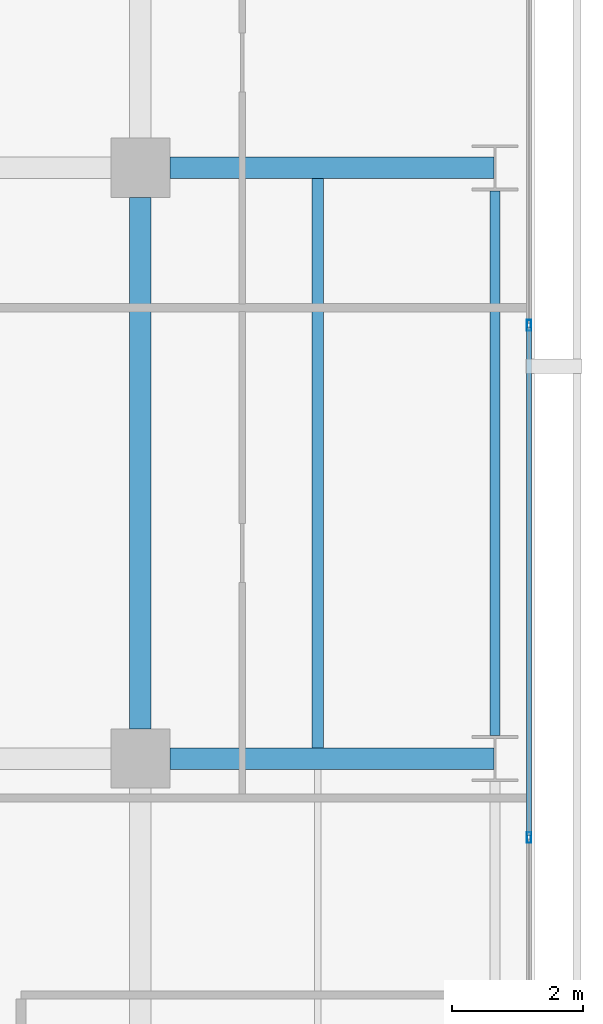
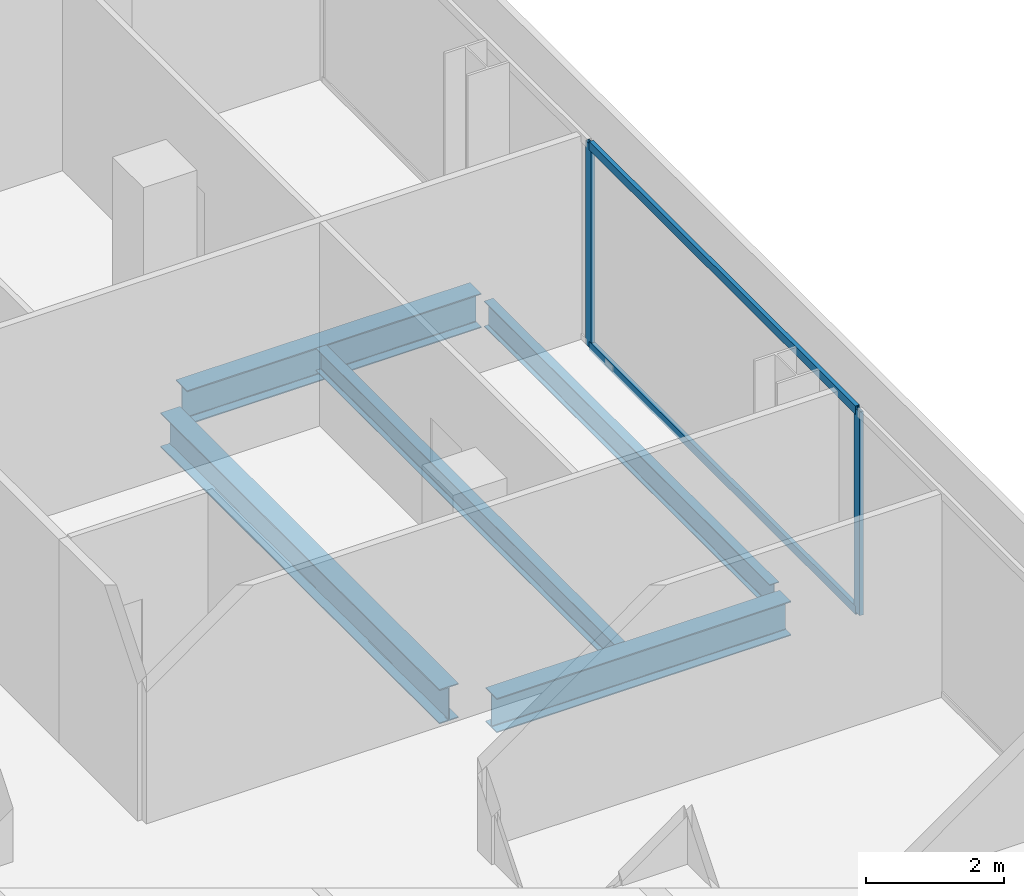
# One storey, part 28 of 40: 5 beams, 4 members, 1 element without a shape of its own.
"""IFC4 building model written with IfcOpenShell, lengths in metres."""

from ifc_helpers import new_model, si_unit, direction, frame, origin, origin_2d, place, context, subcontext, project, spatial, hollow_rectangle, i_section, extrude, material, layer, layer_set, material_profile, profile_set, type_object, element, aggregate, save


model = new_model("IFC4")

# Units and contexts
model_context = context("Model", 3, precision=1e-05, world=origin(), true_north=direction((0.0, 1.0)))
body_context = subcontext(model_context, "Body", "Model", "MODEL_VIEW")
ifc_project = project(units=[si_unit("LENGTHUNIT", "METRE"), si_unit("AREAUNIT", "SQUARE_METRE"), si_unit("VOLUMEUNIT", "CUBIC_METRE"), si_unit("PLANEANGLEUNIT", "RADIAN"), si_unit("MASSUNIT", "GRAM", prefix="KILO")], contexts=[model_context])

# Site, building, storey
site_placement = place(None, origin())
site = spatial("IfcSite", under=ifc_project, at=site_placement, CompositionType="ELEMENT")
building_placement = place(site_placement, origin())
building = spatial("IfcBuilding", under=site, at=building_placement, Name="Maruvema Waterfront Hotel and Observation Tower", CompositionType="ELEMENT")
storey_placement = place(building_placement, frame((0.0, 0.0, 107.800048828125)))
storey = spatial("IfcBuildingStorey", under=building, at=storey_placement, Name="L26", CompositionType="ELEMENT", Elevation=107.800048828125)

# Curtain wall, members
ifc_material_1 = material(Name="Anodised bronze aluminium and solar-control low-E IGU", Category="aluminium")
ifc_layer = layer(ifc_material_1, 0.159912109375, Name="Zone 1 Bronze Inner Thermal Curtain Wall System CW-02")
ifc_layer_set = layer_set([ifc_layer], Name="Anodised bronze aluminium and solar-control low-E IGU")
curtain_wall_type = type_object("IfcCurtainWallType", Name="Zone 1 Bronze Inner Thermal Curtain Wall System CW-02", PredefinedType="USERDEFINED", material=ifc_layer_set)
curtain_wall_placement = place(storey_placement, origin())
curtain_wall = element("IfcCurtainWall", 1, at=curtain_wall_placement, inside=storey, type_object=curtain_wall_type, Name="L26 Curtain Wall CW-L26-E", ObjectType="UNITISED CURTAIN WALL", PredefinedType="USERDEFINED")
ifc_material_2 = material(Name="Anodised architectural bronze aluminium", Category="aluminium")
ifc_material_profile_1 = material_profile(ifc_material_2, hollow_rectangle(XDim=0.070068359375, YDim=0.14990234375, WallThickness=0.00390625, at=origin_2d()), Name="ALU-T70x150")
ifc_profile_set_1 = profile_set([ifc_material_profile_1], Name="Anodised architectural bronze aluminium")
member_type_1 = type_object("IfcMemberType", Name="Curtain Wall Horizontal Transom ALU-T70x150", PredefinedType="USERDEFINED", material=ifc_profile_set_1)
member_1_placement = place(storey_placement, frame((64.719970703125, 34.830078125, 0.030029296875), z_axis=(0.0, 1.0, 0.0), x_axis=(-1.0, 0.0, 0.0)))
member_1 = element("IfcMember", 2, at=member_1_placement, type_object=member_type_1, Name="CW-02 transom 5.1", ObjectType="TRANSOM", PredefinedType="USERDEFINED", context=body_context, shape_type="SweptSolid", body=[
    extrude(hollow_rectangle(XDim=0.070068359375, YDim=0.14990234375, WallThickness=0.00390625, at=origin_2d()), origin(), (0.0, 0.0, 1.0), 7.739990234375),
])
member_2_placement = place(storey_placement, frame((64.719970703125, 34.830078125, 3.579833984375), z_axis=(0.0, 1.0, 0.0), x_axis=(-1.0, 0.0, 0.0)))
member_2 = element("IfcMember", 3, at=member_2_placement, type_object=member_type_1, Name="CW-02 transom 5.2", ObjectType="TRANSOM", PredefinedType="USERDEFINED", context=body_context, shape_type="SweptSolid", body=[
    extrude(hollow_rectangle(XDim=0.070068359375, YDim=0.14990234375, WallThickness=0.00390625, at=origin_2d()), origin(), (0.0, 0.0, 1.0), 7.739990234375),
])
ifc_material_3 = material(Name="Anodised architectural bronze aluminium", Category="aluminium")
ifc_material_profile_2 = material_profile(ifc_material_3, hollow_rectangle(XDim=0.06494140625, YDim=0.1650390625, WallThickness=0.00390625, at=origin_2d()), Name="ALU-M65x165")
ifc_profile_set_2 = profile_set([ifc_material_profile_2], Name="Anodised architectural bronze aluminium")
member_type_2 = type_object("IfcMemberType", Name="Curtain Wall Primary Mullion ALU-M65x165", PredefinedType="MULLION", material=ifc_profile_set_2)
member_3_placement = place(storey_placement, frame((64.719970703125, 34.800048828125, 0.0), z_axis=(0.0, 0.0, 1.0), x_axis=(-1.0, 0.0, 0.0)))
member_3 = element("IfcMember", 4, at=member_3_placement, type_object=member_type_2, Name="CW-02 mullion 5", PredefinedType="MULLION", context=body_context, shape_type="SweptSolid", body=[
    extrude(hollow_rectangle(XDim=0.06494140625, YDim=0.1650390625, WallThickness=0.00390625, at=origin_2d()), origin(), (0.0, 0.0, 1.0), 3.60986328125),
])
member_4_placement = place(storey_placement, frame((64.719970703125, 42.60009765625, 0.0), z_axis=(0.0, 0.0, 1.0), x_axis=(-1.0, 0.0, 0.0)))
member_4 = element("IfcMember", 5, at=member_4_placement, type_object=member_type_2, Name="CW-02 mullion 6", PredefinedType="MULLION", context=body_context, shape_type="SweptSolid", body=[
    extrude(hollow_rectangle(XDim=0.06494140625, YDim=0.1650390625, WallThickness=0.00390625, at=origin_2d()), origin(), (0.0, 0.0, 1.0), 3.60986328125),
])
aggregate(curtain_wall, [member_3, member_4, member_1, member_2])

# Beams
ifc_material_4 = material(Name="Steel ASTM A572 Grade 50", Category="steel")
ifc_material_profile_3 = material_profile(ifc_material_4, i_section(OverallWidth=0.153076171875, OverallDepth=0.455078125, WebThickness=0.008056640625, FlangeThickness=0.01318359375, FilletRadius=0.014892578125, at=origin_2d()), Name="W460x60.0")
ifc_profile_set_3 = profile_set([ifc_material_profile_3], Name="Steel ASTM A572 Grade 50")
beam_type_1 = type_object("IfcBeamType", Name="Perimeter Spandrel Beam W460x60.0", PredefinedType="SPANDREL", material=ifc_profile_set_3)
beam_1_placement = place(storey_placement, frame((64.199951171875, 36.35009765625, -0.467529296875), z_axis=(0.0, 1.0, 0.0), x_axis=(-1.0, 0.0, 0.0)))
element("IfcBeam", 6, at=beam_1_placement, inside=storey, type_object=beam_type_1, Name="L26 Floor Girder NS-36", PredefinedType="SPANDREL", context=body_context, shape_type="SweptSolid", body=[
    extrude(i_section(OverallWidth=0.153076171875, OverallDepth=0.455078125, WebThickness=0.008056640625, FlangeThickness=0.01318359375, FilletRadius=0.014892578125, at=origin_2d()), origin(), (0.0, 0.0, 1.0), 8.2998046875),
])
ifc_material_5 = material(Name="Steel ASTM A572 Grade 50", Category="steel")
ifc_material_profile_4 = material_profile(ifc_material_5, i_section(OverallWidth=0.323974609375, OverallDepth=0.611083984375, WebThickness=0.0126953125, FlangeThickness=0.01904296875, FilletRadius=0.01806640625, at=origin_2d()), Name="W610x155.0")
ifc_profile_set_4 = profile_set([ifc_material_profile_4], Name="Steel ASTM A572 Grade 50")
beam_type_2 = type_object("IfcBeamType", Name="Primary Floor Girder W610x155.0", PredefinedType="BEAM", material=ifc_profile_set_4)
for number, where, z_axis, x_axis, name in (
    (7, (59.25, 36.0, -0.545654296875), (1.0, 0.0, 0.0), (0.0, 1.0, 0.0), "L26 Floor Girder EW-31"),
    (8, (59.25, 45.0, -0.545654296875), (1.0, 0.0, 0.0), (0.0, 1.0, 0.0), "L26 Floor Girder EW-35"),
):
    element("IfcBeam", number, at=place(storey_placement, frame(where, z_axis=z_axis, x_axis=x_axis)), inside=storey, type_object=beam_type_2, Name=name, PredefinedType="BEAM", context=body_context, shape_type="SweptSolid", body=[
        extrude(i_section(OverallWidth=0.323974609375, OverallDepth=0.611083984375, WebThickness=0.0126953125, FlangeThickness=0.01904296875, FilletRadius=0.01806640625, at=origin_2d()), origin(), (0.0, 0.0, 1.0), 4.93603515625),
    ])
beam_2_placement = place(storey_placement, frame((58.800048828125, 36.449951171875, -0.545654296875), z_axis=(0.0, 1.0, 0.0), x_axis=(-1.0, 0.0, 0.0)))
element("IfcBeam", 9, at=beam_2_placement, inside=storey, type_object=beam_type_2, Name="L26 Floor Girder NS-31", PredefinedType="BEAM", context=body_context, shape_type="SweptSolid", body=[
    extrude(i_section(OverallWidth=0.323974609375, OverallDepth=0.611083984375, WebThickness=0.0126953125, FlangeThickness=0.01904296875, FilletRadius=0.01806640625, at=origin_2d()), origin(), (0.0, 0.0, 1.0), 8.10009765625),
])
ifc_material_6 = material(Name="Steel ASTM A572 Grade 50", Category="steel")
ifc_material_profile_5 = material_profile(ifc_material_6, i_section(OverallWidth=0.177001953125, OverallDepth=0.403076171875, WebThickness=0.007568359375, FlangeThickness=0.010986328125, FilletRadius=0.014892578125, at=origin_2d()), Name="W410x53.0")
ifc_profile_set_5 = profile_set([ifc_material_profile_5], Name="Steel ASTM A572 Grade 50")
beam_type_3 = type_object("IfcBeamType", Name="Secondary Floor Joist W410x53.0", PredefinedType="JOIST", material=ifc_profile_set_5)
beam_3_placement = place(storey_placement, frame((61.5, 36.162109375, -0.441650390625), z_axis=(0.0, 1.0, 0.0), x_axis=(-1.0, 0.0, 0.0)))
element("IfcBeam", 10, at=beam_3_placement, inside=storey, type_object=beam_type_3, Name="L26 Secondary Floor Joist JS-24", PredefinedType="JOIST", context=body_context, shape_type="SweptSolid", body=[
    extrude(i_section(OverallWidth=0.177001953125, OverallDepth=0.403076171875, WebThickness=0.007568359375, FlangeThickness=0.010986328125, FilletRadius=0.014892578125, at=origin_2d()), origin(), (0.0, 0.0, 1.0), 8.67578125),
])

save(model, "model.ifc")
